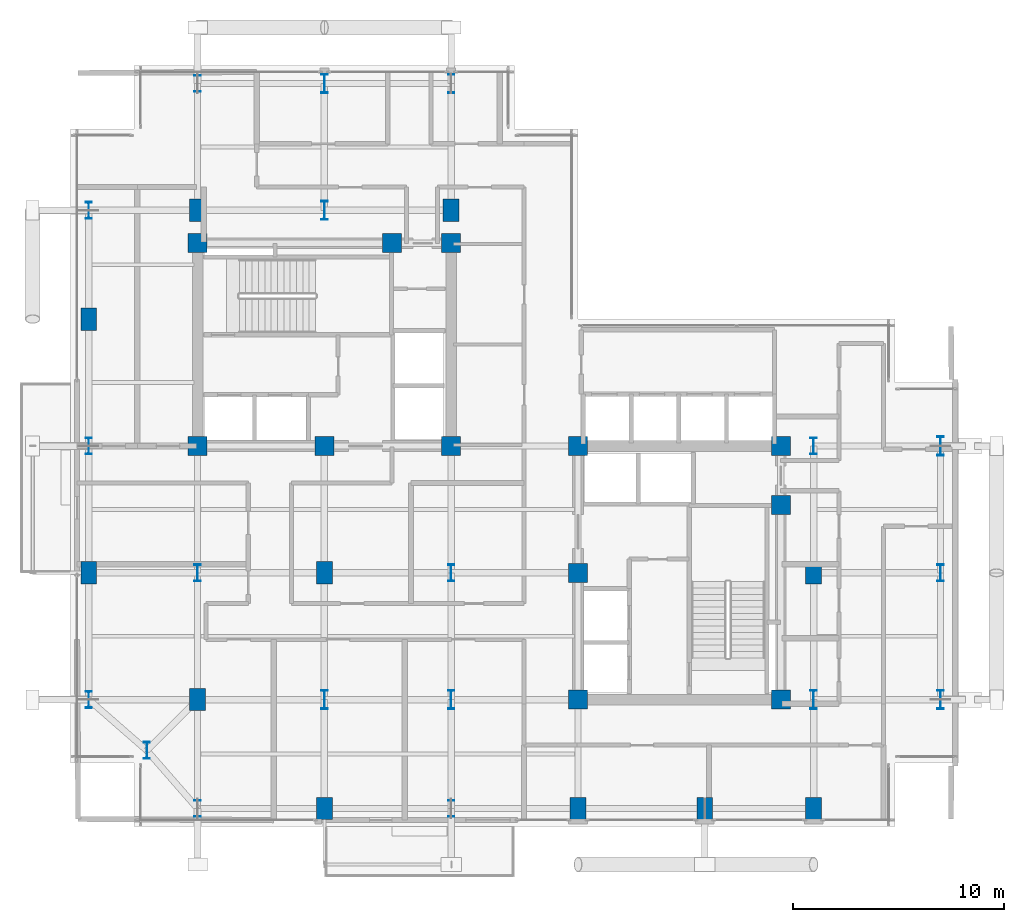
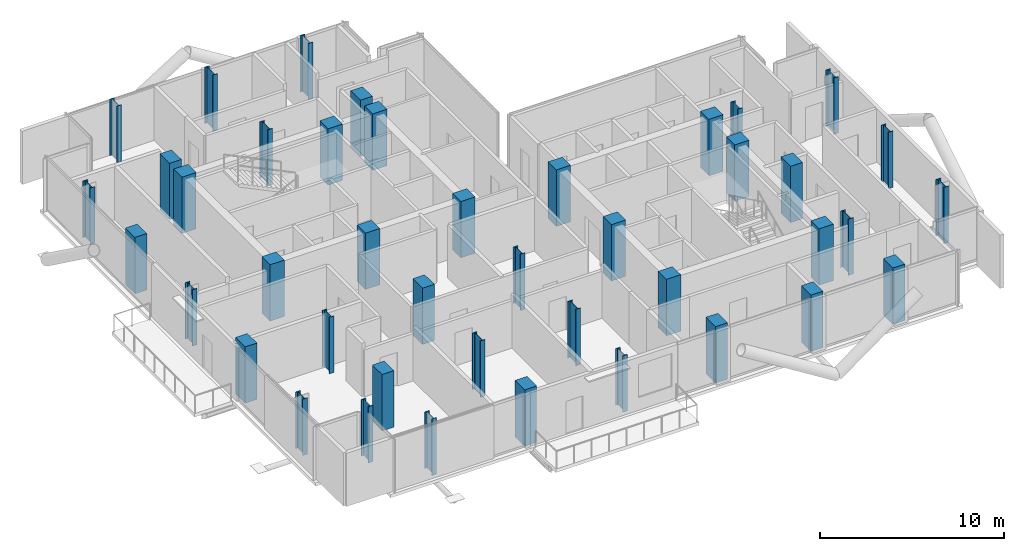
# One storey, part 1 of 21: 42 columns.
"""IFC4 building model written with IfcOpenShell, lengths in metres."""

from ifc_helpers import new_model, si_unit, direction, frame, origin, origin_2d, place, context, subcontext, project, spatial, rectangle, i_section, extrude, material, material_profile, profile_set, type_object, element, save


model = new_model("IFC4")

# Units and contexts
model_context = context("Model", 3, precision=1e-05, world=origin(), true_north=direction((0.0, 1.0)))
body_context = subcontext(model_context, "Body", "Model", "MODEL_VIEW")
ifc_project = project(units=[si_unit("LENGTHUNIT", "METRE"), si_unit("AREAUNIT", "SQUARE_METRE"), si_unit("VOLUMEUNIT", "CUBIC_METRE"), si_unit("PLANEANGLEUNIT", "RADIAN"), si_unit("MASSUNIT", "GRAM", prefix="KILO"), si_unit("THERMODYNAMICTEMPERATUREUNIT", "KELVIN"), si_unit("POWERUNIT", "WATT")], contexts=[model_context])

# Site, building, storey
site_placement = place(None, origin())
site = spatial("IfcSite", under=ifc_project, at=site_placement, CompositionType="ELEMENT")
building_placement = place(site_placement, origin())
building = spatial("IfcBuilding", under=site, at=building_placement, Name="Svarakhadi Broadcast Tower", CompositionType="ELEMENT")
storey_placement = place(building_placement, frame((0.0, 0.0, 187.949951171875)))
storey = spatial("IfcBuildingStorey", under=building, at=storey_placement, Name="L46", CompositionType="ELEMENT", Elevation=187.949951171875)

# Columns
ifc_material_1 = material(Name="Concrete C50/60 (IS 456 M60)", Category="concrete")
ifc_material_profile_1 = material_profile(ifc_material_1, rectangle(XDim=0.75, YDim=1.050048828125, at=origin_2d()), Name="RC 750x1050")
ifc_profile_set_1 = profile_set([ifc_material_profile_1], Name="Concrete C50/60 (IS 456 M60)")
column_type_1 = type_object("IfcColumnType", Name="Col_RC750", PredefinedType="COLUMN", material=ifc_profile_set_1)
for number, where, z_axis, x_axis, name in (
    (1, (0.85009765625, 12.0, 0.0), (0.0, 0.0, 1.0), (1.0, 0.0, 0.0), "L46 Column G04"),
    (2, (0.85009765625, 24.0, 0.0), (0.0, 0.0, 1.0), (1.0, 0.0, 0.0), "L46 Column G06"),
    (3, (6.0, 6.0, 0.0), (0.0, 0.0, 1.0), (1.0, 0.0, 0.0), "L46 Column G12"),
    (4, (6.0, 29.14990234375, 0.0), (0.0, 0.0, 1.0), (1.0, 0.0, 0.0), "L46 Column G14"),
    (5, (12.0, 0.85009765625, 0.0), (0.0, 0.0, 1.0), (1.0, 0.0, 0.0), "L46 Column G18"),
    (6, (12.0, 12.0, 0.0), (0.0, 0.0, 1.0), (1.0, 0.0, 0.0), "L46 Column G20"),
    (7, (18.0, 29.14990234375, 0.0), (0.0, 0.0, 1.0), (1.0, 0.0, 0.0), "L46 Column G28"),
    (8, (24.0, 0.85009765625, 0.0), (0.0, 0.0, 1.0), (1.0, 0.0, 0.0), "L46 Column G32"),
    (9, (30.0, 0.85009765625, 0.0), (0.0, 0.0, 1.0), (1.0, 0.0, 0.0), "L46 Column G36"),
    (10, (35.14990234375, 0.85009765625, 0.0), (0.0, 0.0, 1.0), (1.0, 0.0, 0.0), "L46 Column G38"),
    (11, (35.14990234375, 12.0, 0.0), (0.0, 0.0, 1.0), (1.0, 0.0, 0.0), "L46 Column G40"),
):
    element("IfcColumn", number, at=place(storey_placement, frame(where, z_axis=z_axis, x_axis=x_axis)), inside=storey, type_object=column_type_1, Name=name, PredefinedType="COLUMN", context=body_context, shape_type="SweptSolid", body=[
        extrude(rectangle(XDim=0.75, YDim=1.050048828125, at=origin_2d()), origin(), (0.0, 0.0, 1.0), 3.75),
    ])
ifc_material_profile_2 = material_profile(ifc_material_1, rectangle(XDim=0.89990234375, YDim=0.89990234375, at=origin_2d()), Name="RC 900x900")
ifc_profile_set_2 = profile_set([ifc_material_profile_2], Name="Concrete C50/60 (IS 456 M60)")
column_type_2 = type_object("IfcColumnType", Name="Col_RC900", PredefinedType="COLUMN", material=ifc_profile_set_2)
for number, where, z_axis, x_axis, name in (
    (12, (6.0, 18.0, 0.0), (0.0, 0.0, 1.0), (1.0, 0.0, 0.0), "L46 Column CW1"),
    (13, (12.0, 18.0, 0.0), (0.0, 0.0, 1.0), (1.0, 0.0, 0.0), "L46 Column CW2"),
    (14, (18.0, 18.0, 0.0), (0.0, 0.0, 1.0), (1.0, 0.0, 0.0), "L46 Column CW3"),
    (15, (6.0, 27.60009765625, 0.0), (0.0, 0.0, 1.0), (1.0, 0.0, 0.0), "L46 Column CW4"),
    (16, (15.199951171875, 27.60009765625, 0.0), (0.0, 0.0, 1.0), (1.0, 0.0, 0.0), "L46 Column CW5"),
    (17, (18.0, 27.60009765625, 0.0), (0.0, 0.0, 1.0), (1.0, 0.0, 0.0), "L46 Column CW6"),
    (18, (24.0, 6.0, 0.0), (0.0, 0.0, 1.0), (1.0, 0.0, 0.0), "L46 Column CE1"),
    (19, (24.0, 12.0, 0.0), (0.0, 0.0, 1.0), (1.0, 0.0, 0.0), "L46 Column CE2"),
    (20, (24.0, 18.0, 0.0), (0.0, 0.0, 1.0), (1.0, 0.0, 0.0), "L46 Column CE3"),
    (21, (33.60009765625, 6.0, 0.0), (0.0, 0.0, 1.0), (1.0, 0.0, 0.0), "L46 Column CE4"),
    (22, (33.60009765625, 15.199951171875, 0.0), (0.0, 0.0, 1.0), (1.0, 0.0, 0.0), "L46 Column CE5"),
    (23, (33.60009765625, 18.0, 0.0), (0.0, 0.0, 1.0), (1.0, 0.0, 0.0), "L46 Column CE6"),
):
    element("IfcColumn", number, at=place(storey_placement, frame(where, z_axis=z_axis, x_axis=x_axis)), inside=storey, type_object=column_type_2, Name=name, PredefinedType="COLUMN", context=body_context, shape_type="SweptSolid", body=[
        extrude(rectangle(XDim=0.89990234375, YDim=0.89990234375, at=origin_2d()), origin(), (0.0, 0.0, 1.0), 3.75),
    ])
ifc_material_2 = material(Name="Steel S460ML (IS 2062 E450BR)", Category="steel")
ifc_material_profile_3 = material_profile(ifc_material_2, i_section(OverallWidth=0.300048828125, OverallDepth=0.800048828125, WebThickness=0.017578125, FlangeThickness=0.032958984375, FilletRadius=0.030029296875, at=origin_2d()), Name="WPB 800x300x262")
ifc_profile_set_3 = profile_set([ifc_material_profile_3], Name="Steel S460ML (IS 2062 E450BR)")
column_type_3 = type_object("IfcColumnType", Name="Col_WPB800", PredefinedType="COLUMN", material=ifc_profile_set_3)
for number, where, z_axis, x_axis, name in (
    (24, (3.60009765625, 3.60009765625, 0.0), (0.0, 0.0, 1.0), (1.0, 0.0, 0.0), "L46 Column G01"),
    (25, (0.85009765625, 6.0, 0.0), (0.0, 0.0, 1.0), (1.0, 0.0, 0.0), "L46 Column G03"),
    (26, (0.85009765625, 18.0, 0.0), (0.0, 0.0, 1.0), (1.0, 0.0, 0.0), "L46 Column G05"),
    (27, (0.85009765625, 29.14990234375, 0.0), (0.0, 0.0, 1.0), (1.0, 0.0, 0.0), "L46 Column G07"),
    (28, (6.0, 0.85009765625, 0.0), (0.0, 0.0, 1.0), (1.0, 0.0, 0.0), "L46 Column G11"),
    (29, (6.0, 12.0, 0.0), (0.0, 0.0, 1.0), (1.0, 0.0, 0.0), "L46 Column G13"),
    (30, (6.0, 35.14990234375, 0.0), (0.0, 0.0, 1.0), (1.0, 0.0, 0.0), "L46 Column G15"),
    (31, (18.0, 0.85009765625, 0.0), (0.0, 0.0, 1.0), (1.0, 0.0, 0.0), "L46 Column G25"),
    (32, (18.0, 12.0, 0.0), (0.0, 0.0, 1.0), (1.0, 0.0, 0.0), "L46 Column G27"),
    (33, (35.14990234375, 18.0, 0.0), (0.0, 0.0, 1.0), (1.0, 0.0, 0.0), "L46 Column G41"),
    (34, (41.14990234375, 12.0, 0.0), (0.0, 0.0, 1.0), (1.0, 0.0, 0.0), "L46 Column G45"),
):
    element("IfcColumn", number, at=place(storey_placement, frame(where, z_axis=z_axis, x_axis=x_axis)), inside=storey, type_object=column_type_3, Name=name, PredefinedType="COLUMN", context=body_context, shape_type="SweptSolid", body=[
        extrude(i_section(OverallWidth=0.300048828125, OverallDepth=0.800048828125, WebThickness=0.017578125, FlangeThickness=0.032958984375, FilletRadius=0.030029296875, at=origin_2d()), origin(), (0.0, 0.0, 1.0), 3.75),
    ])
ifc_material_profile_4 = material_profile(ifc_material_2, i_section(OverallWidth=0.300048828125, OverallDepth=0.89990234375, WebThickness=0.0185546875, FlangeThickness=0.034912109375, FilletRadius=0.030029296875, at=origin_2d()), Name="WPB 900x300x291")
ifc_profile_set_4 = profile_set([ifc_material_profile_4], Name="Steel S460ML (IS 2062 E450BR)")
column_type_4 = type_object("IfcColumnType", Name="Col_WPB900", PredefinedType="COLUMN", material=ifc_profile_set_4)
for number, where, z_axis, x_axis, name in (
    (35, (12.0, 6.0, 0.0), (0.0, 0.0, 1.0), (1.0, 0.0, 0.0), "L46 Column G19"),
    (36, (12.0, 29.14990234375, 0.0), (0.0, 0.0, 1.0), (1.0, 0.0, 0.0), "L46 Column G21"),
    (37, (12.0, 35.14990234375, 0.0), (0.0, 0.0, 1.0), (1.0, 0.0, 0.0), "L46 Column G22"),
    (38, (18.0, 6.0, 0.0), (0.0, 0.0, 1.0), (1.0, 0.0, 0.0), "L46 Column G26"),
    (39, (18.0, 35.14990234375, 0.0), (0.0, 0.0, 1.0), (1.0, 0.0, 0.0), "L46 Column G29"),
    (40, (35.14990234375, 6.0, 0.0), (0.0, 0.0, 1.0), (1.0, 0.0, 0.0), "L46 Column G39"),
    (41, (41.14990234375, 6.0, 0.0), (0.0, 0.0, 1.0), (1.0, 0.0, 0.0), "L46 Column G44"),
    (42, (41.14990234375, 18.0, 0.0), (0.0, 0.0, 1.0), (1.0, 0.0, 0.0), "L46 Column G46"),
):
    element("IfcColumn", number, at=place(storey_placement, frame(where, z_axis=z_axis, x_axis=x_axis)), inside=storey, type_object=column_type_4, Name=name, PredefinedType="COLUMN", context=body_context, shape_type="SweptSolid", body=[
        extrude(i_section(OverallWidth=0.300048828125, OverallDepth=0.89990234375, WebThickness=0.0185546875, FlangeThickness=0.034912109375, FilletRadius=0.030029296875, at=origin_2d()), origin(), (0.0, 0.0, 1.0), 3.75),
    ])

save(model, "model.ifc")
